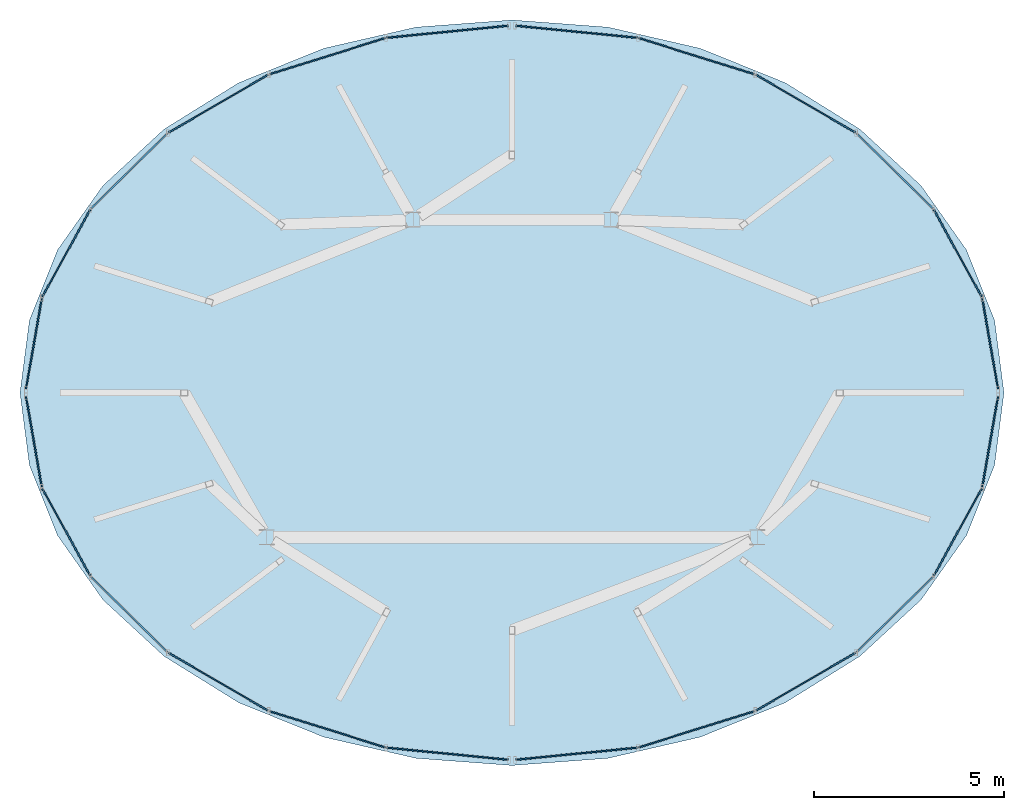
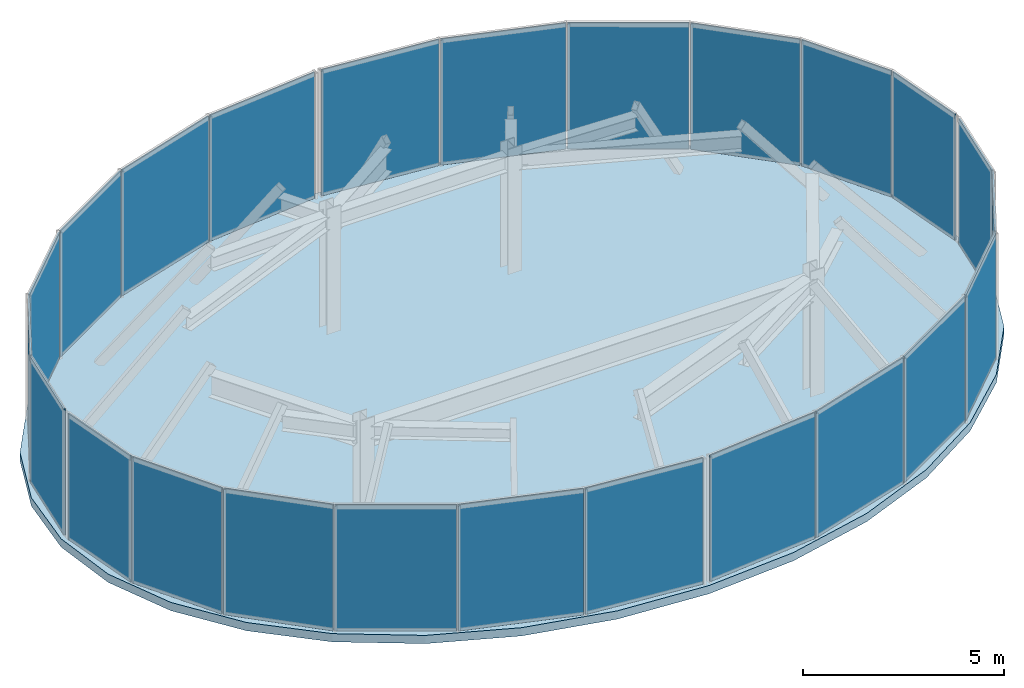
# One storey, part 10 of 10: 24 plates, 1 slab, 4 elements without a shape of their own.
"""IFC4 building model written with IfcOpenShell, lengths in metres."""

from ifc_helpers import new_model, si_unit, direction, frame, origin, origin_2d, place, context, subcontext, project, spatial, polyline, rectangle, outline, extrude, material, layer, layer_set, type_object, element, aggregate, save


model = new_model("IFC4")

# Units and contexts
model_context = context("Model", 3, precision=1e-05, world=origin(), true_north=direction((0.0, 1.0)))
body_context = subcontext(model_context, "Body", "Model", "MODEL_VIEW")
ifc_project = project(units=[si_unit("LENGTHUNIT", "METRE"), si_unit("AREAUNIT", "SQUARE_METRE"), si_unit("VOLUMEUNIT", "CUBIC_METRE"), si_unit("PLANEANGLEUNIT", "RADIAN"), si_unit("MASSUNIT", "GRAM", prefix="KILO")], contexts=[model_context])

# Site, building, storey
site_placement = place(None, origin())
site = spatial("IfcSite", under=ifc_project, at=site_placement, CompositionType="ELEMENT")
building_placement = place(site_placement, origin())
building = spatial("IfcBuilding", under=site, at=building_placement, Name="Vorneva Point Tower", CompositionType="ELEMENT")
storey_placement = place(building_placement, frame((0.0, 0.0, 306.800048828125)))
storey = spatial("IfcBuildingStorey", under=building, at=storey_placement, Name="C04", CompositionType="ELEMENT", Elevation=306.800048828125)

# Curtain wall, plates
ifc_material_1 = material(Name="Pale anodised aluminium", Category="aluminium")
curtain_wall_type = type_object("IfcCurtainWallType", Name="CW-CRN-SYS", PredefinedType="NOTDEFINED", material=ifc_material_1)
curtain_wall_1_placement = place(storey_placement, origin())
curtain_wall_1 = element("IfcCurtainWall", 1, at=curtain_wall_1_placement, inside=storey, type_object=curtain_wall_type, Name="C04 Unitised Curtain Wall CW-C04-Q1", PredefinedType="NOTDEFINED")
ifc_material_2 = material(Name="Triple-laminated clear crown glass", Category="glass")
ifc_layer_1 = layer(ifc_material_2, 0.0419921875)
ifc_layer_set_1 = layer_set([ifc_layer_1], Name="Triple-laminated clear crown glass")
plate_type = type_object("IfcPlateType", Name="CW-PNL-CRN", PredefinedType="CURTAIN_PANEL", material=ifc_layer_set_1)
plate_1_placement = place(storey_placement, frame((50.5712890625, 27.28955078125, -0.02001953125), z_axis=(0.0, 0.0, 1.0), x_axis=(-0.171808745188, 0.985130323905, 0.0)))
plate_1 = element("IfcPlate", 2, at=plate_1_placement, type_object=plate_type, Name="CW-C04-Q1 Glazed Panel 01", PredefinedType="CURTAIN_PANEL", context=body_context, shape_type="SweptSolid", body=[
    extrude(rectangle(XDim=2.407958984375, YDim=0.0419921875, at=origin_2d()), origin(), (0.0, 0.0, 1.0), 3.840087890625),
])
plate_2_placement = place(storey_placement, frame((49.720703125, 29.6650390625, -0.02001953125), z_axis=(0.0, 0.0, 1.0), x_axis=(-0.481019372163, 0.876709965498, 0.0)))
plate_2 = element("IfcPlate", 3, at=plate_2_placement, type_object=plate_type, Name="CW-C04-Q1 Glazed Panel 02", PredefinedType="CURTAIN_PANEL", context=body_context, shape_type="SweptSolid", body=[
    extrude(rectangle(XDim=2.607421875, YDim=0.0419921875, at=origin_2d()), origin(), (0.0, 0.0, 1.0), 3.840087890625),
])
plate_3_placement = place(storey_placement, frame((48.06494140625, 31.830322265625, -0.02001953125), z_axis=(0.0, 0.0, 1.0), x_axis=(-0.712846636118, 0.701319950789, 0.0)))
plate_3 = element("IfcPlate", 4, at=plate_3_placement, type_object=plate_type, Name="CW-C04-Q1 Glazed Panel 03", PredefinedType="CURTAIN_PANEL", context=body_context, shape_type="SweptSolid", body=[
    extrude(rectangle(XDim=2.802734375, YDim=0.0419921875, at=origin_2d()), origin(), (0.0, 0.0, 1.0), 3.840087890625),
])
plate_4_placement = place(storey_placement, frame((45.72314453125, 33.598388671875, -0.02001953125), z_axis=(0.0, 0.0, 1.0), x_axis=(-0.865308932118, 0.501238917081, 0.0)))
plate_4 = element("IfcPlate", 5, at=plate_4_placement, type_object=plate_type, Name="CW-C04-Q1 Glazed Panel 04", PredefinedType="CURTAIN_PANEL", context=body_context, shape_type="SweptSolid", body=[
    extrude(rectangle(XDim=3.0126953125, YDim=0.0419921875, at=origin_2d()), origin(), (0.0, 0.0, 1.0), 3.840087890625),
])
plate_5_placement = place(storey_placement, frame((42.85498046875, 34.848388671875, -0.02001953125), z_axis=(0.0, 0.0, 1.0), x_axis=(-0.954428033016, 0.298441166386, 0.0)))
plate_5 = element("IfcPlate", 6, at=plate_5_placement, type_object=plate_type, Name="CW-C04-Q1 Glazed Panel 05", PredefinedType="CURTAIN_PANEL", context=body_context, shape_type="SweptSolid", body=[
    extrude(rectangle(XDim=3.18359375, YDim=0.0419921875, at=origin_2d()), origin(), (0.0, 0.0, 1.0), 3.840087890625),
])
plate_6_placement = place(storey_placement, frame((39.69580078125, 35.491455078125, -0.02001953125), z_axis=(0.0, 0.0, 1.0), x_axis=(-0.99509535929, 0.098920300846, 0.0)))
plate_6 = element("IfcPlate", 7, at=plate_6_placement, type_object=plate_type, Name="CW-C04-Q1 Glazed Panel 06", PredefinedType="CURTAIN_PANEL", context=body_context, shape_type="SweptSolid", body=[
    extrude(rectangle(XDim=3.197998046875, YDim=0.0419921875, at=origin_2d()), origin(), (0.0, 0.0, 1.0), 3.840087890625),
])
aggregate(curtain_wall_1, [plate_1, plate_2, plate_3, plate_4, plate_5, plate_6])

curtain_wall_2_placement = place(storey_placement, origin())
curtain_wall_2 = element("IfcCurtainWall", 8, at=curtain_wall_2_placement, inside=storey, type_object=curtain_wall_type, Name="C04 Unitised Curtain Wall CW-C04-Q2", PredefinedType="NOTDEFINED")
plate_7_placement = place(storey_placement, frame((36.30419921875, 35.491455078125, -0.02001953125), z_axis=(0.0, 0.0, 1.0), x_axis=(-0.99509535929, -0.098920300846, 0.0)))
plate_7 = element("IfcPlate", 9, at=plate_7_placement, type_object=plate_type, Name="CW-C04-Q2 Glazed Panel 01", PredefinedType="CURTAIN_PANEL", context=body_context, shape_type="SweptSolid", body=[
    extrude(rectangle(XDim=3.197998046875, YDim=0.0419921875, at=origin_2d()), origin(), (0.0, 0.0, 1.0), 3.840087890625),
])
plate_8_placement = place(storey_placement, frame((33.14501953125, 34.848388671875, -0.02001953125), z_axis=(0.0, 0.0, 1.0), x_axis=(-0.954428033016, -0.298441166386, 0.0)))
plate_8 = element("IfcPlate", 10, at=plate_8_placement, type_object=plate_type, Name="CW-C04-Q2 Glazed Panel 02", PredefinedType="CURTAIN_PANEL", context=body_context, shape_type="SweptSolid", body=[
    extrude(rectangle(XDim=3.18359375, YDim=0.0419921875, at=origin_2d()), origin(), (0.0, 0.0, 1.0), 3.840087890625),
])
plate_9_placement = place(storey_placement, frame((30.27685546875, 33.598388671875, -0.02001953125), z_axis=(0.0, 0.0, 1.0), x_axis=(-0.865308932118, -0.501238917081, 0.0)))
plate_9 = element("IfcPlate", 11, at=plate_9_placement, type_object=plate_type, Name="CW-C04-Q2 Glazed Panel 03", PredefinedType="CURTAIN_PANEL", context=body_context, shape_type="SweptSolid", body=[
    extrude(rectangle(XDim=3.0126953125, YDim=0.0419921875, at=origin_2d()), origin(), (0.0, 0.0, 1.0), 3.840087890625),
])
plate_10_placement = place(storey_placement, frame((27.93505859375, 31.830322265625, -0.02001953125), z_axis=(0.0, 0.0, 1.0), x_axis=(-0.712846636118, -0.701319950789, 0.0)))
plate_10 = element("IfcPlate", 12, at=plate_10_placement, type_object=plate_type, Name="CW-C04-Q2 Glazed Panel 04", PredefinedType="CURTAIN_PANEL", context=body_context, shape_type="SweptSolid", body=[
    extrude(rectangle(XDim=2.802734375, YDim=0.0419921875, at=origin_2d()), origin(), (0.0, 0.0, 1.0), 3.840087890625),
])
plate_11_placement = place(storey_placement, frame((26.279296875, 29.6650390625, -0.02001953125), z_axis=(0.0, 0.0, 1.0), x_axis=(-0.481019372163, -0.876709965498, 0.0)))
plate_11 = element("IfcPlate", 13, at=plate_11_placement, type_object=plate_type, Name="CW-C04-Q2 Glazed Panel 05", PredefinedType="CURTAIN_PANEL", context=body_context, shape_type="SweptSolid", body=[
    extrude(rectangle(XDim=2.607421875, YDim=0.0419921875, at=origin_2d()), origin(), (0.0, 0.0, 1.0), 3.840087890625),
])
plate_12_placement = place(storey_placement, frame((25.428955078125, 27.28955078125, -0.02001953125), z_axis=(0.0, 0.0, 1.0), x_axis=(-0.171808745188, -0.985130323905, 0.0)))
plate_12 = element("IfcPlate", 14, at=plate_12_placement, type_object=plate_type, Name="CW-C04-Q2 Glazed Panel 06", PredefinedType="CURTAIN_PANEL", context=body_context, shape_type="SweptSolid", body=[
    extrude(rectangle(XDim=2.407958984375, YDim=0.0419921875, at=origin_2d()), origin(), (0.0, 0.0, 1.0), 3.840087890625),
])
aggregate(curtain_wall_2, [plate_7, plate_8, plate_9, plate_10, plate_11, plate_12])

curtain_wall_3_placement = place(storey_placement, origin())
curtain_wall_3 = element("IfcCurtainWall", 15, at=curtain_wall_3_placement, inside=storey, type_object=curtain_wall_type, Name="C04 Unitised Curtain Wall CW-C04-Q3", PredefinedType="NOTDEFINED")
plate_13_placement = place(storey_placement, frame((25.428955078125, 24.71044921875, -0.02001953125), z_axis=(0.0, 0.0, 1.0), x_axis=(0.171808745188, -0.985130323905, 0.0)))
plate_13 = element("IfcPlate", 16, at=plate_13_placement, type_object=plate_type, Name="CW-C04-Q3 Glazed Panel 01", PredefinedType="CURTAIN_PANEL", context=body_context, shape_type="SweptSolid", body=[
    extrude(rectangle(XDim=2.407958984375, YDim=0.0419921875, at=origin_2d()), origin(), (0.0, 0.0, 1.0), 3.840087890625),
])
plate_14_placement = place(storey_placement, frame((26.279296875, 22.3349609375, -0.02001953125), z_axis=(0.0, 0.0, 1.0), x_axis=(0.481019372163, -0.876709965498, 0.0)))
plate_14 = element("IfcPlate", 17, at=plate_14_placement, type_object=plate_type, Name="CW-C04-Q3 Glazed Panel 02", PredefinedType="CURTAIN_PANEL", context=body_context, shape_type="SweptSolid", body=[
    extrude(rectangle(XDim=2.607421875, YDim=0.0419921875, at=origin_2d()), origin(), (0.0, 0.0, 1.0), 3.840087890625),
])
plate_15_placement = place(storey_placement, frame((27.93505859375, 20.169677734375, -0.02001953125), z_axis=(0.0, 0.0, 1.0), x_axis=(0.712846636118, -0.701319950789, 0.0)))
plate_15 = element("IfcPlate", 18, at=plate_15_placement, type_object=plate_type, Name="CW-C04-Q3 Glazed Panel 03", PredefinedType="CURTAIN_PANEL", context=body_context, shape_type="SweptSolid", body=[
    extrude(rectangle(XDim=2.802734375, YDim=0.0419921875, at=origin_2d()), origin(), (0.0, 0.0, 1.0), 3.840087890625),
])
plate_16_placement = place(storey_placement, frame((30.27685546875, 18.401611328125, -0.02001953125), z_axis=(0.0, 0.0, 1.0), x_axis=(0.865308932118, -0.501238917081, 0.0)))
plate_16 = element("IfcPlate", 19, at=plate_16_placement, type_object=plate_type, Name="CW-C04-Q3 Glazed Panel 04", PredefinedType="CURTAIN_PANEL", context=body_context, shape_type="SweptSolid", body=[
    extrude(rectangle(XDim=3.0126953125, YDim=0.0419921875, at=origin_2d()), origin(), (0.0, 0.0, 1.0), 3.840087890625),
])
plate_17_placement = place(storey_placement, frame((33.14501953125, 17.151611328125, -0.02001953125), z_axis=(0.0, 0.0, 1.0), x_axis=(0.954428033016, -0.298441166386, 0.0)))
plate_17 = element("IfcPlate", 20, at=plate_17_placement, type_object=plate_type, Name="CW-C04-Q3 Glazed Panel 05", PredefinedType="CURTAIN_PANEL", context=body_context, shape_type="SweptSolid", body=[
    extrude(rectangle(XDim=3.18359375, YDim=0.0419921875, at=origin_2d()), origin(), (0.0, 0.0, 1.0), 3.840087890625),
])
plate_18_placement = place(storey_placement, frame((36.30419921875, 16.508544921875, -0.02001953125), z_axis=(0.0, 0.0, 1.0), x_axis=(0.99509535929, -0.098920300846, 0.0)))
plate_18 = element("IfcPlate", 21, at=plate_18_placement, type_object=plate_type, Name="CW-C04-Q3 Glazed Panel 06", PredefinedType="CURTAIN_PANEL", context=body_context, shape_type="SweptSolid", body=[
    extrude(rectangle(XDim=3.197998046875, YDim=0.0419921875, at=origin_2d()), origin(), (0.0, 0.0, 1.0), 3.840087890625),
])
aggregate(curtain_wall_3, [plate_13, plate_14, plate_15, plate_16, plate_17, plate_18])

curtain_wall_4_placement = place(storey_placement, origin())
curtain_wall_4 = element("IfcCurtainWall", 22, at=curtain_wall_4_placement, inside=storey, type_object=curtain_wall_type, Name="C04 Unitised Curtain Wall CW-C04-Q4", PredefinedType="NOTDEFINED")
plate_19_placement = place(storey_placement, frame((39.69580078125, 16.508544921875, -0.02001953125), z_axis=(0.0, 0.0, 1.0), x_axis=(0.99509535929, 0.098920300846, 0.0)))
plate_19 = element("IfcPlate", 23, at=plate_19_placement, type_object=plate_type, Name="CW-C04-Q4 Glazed Panel 01", PredefinedType="CURTAIN_PANEL", context=body_context, shape_type="SweptSolid", body=[
    extrude(rectangle(XDim=3.197998046875, YDim=0.0419921875, at=origin_2d()), origin(), (0.0, 0.0, 1.0), 3.840087890625),
])
plate_20_placement = place(storey_placement, frame((42.85498046875, 17.151611328125, -0.02001953125), z_axis=(0.0, 0.0, 1.0), x_axis=(0.954428033016, 0.298441166386, 0.0)))
plate_20 = element("IfcPlate", 24, at=plate_20_placement, type_object=plate_type, Name="CW-C04-Q4 Glazed Panel 02", PredefinedType="CURTAIN_PANEL", context=body_context, shape_type="SweptSolid", body=[
    extrude(rectangle(XDim=3.18359375, YDim=0.0419921875, at=origin_2d()), origin(), (0.0, 0.0, 1.0), 3.840087890625),
])
plate_21_placement = place(storey_placement, frame((45.72314453125, 18.401611328125, -0.02001953125), z_axis=(0.0, 0.0, 1.0), x_axis=(0.865308932118, 0.501238917081, 0.0)))
plate_21 = element("IfcPlate", 25, at=plate_21_placement, type_object=plate_type, Name="CW-C04-Q4 Glazed Panel 03", PredefinedType="CURTAIN_PANEL", context=body_context, shape_type="SweptSolid", body=[
    extrude(rectangle(XDim=3.0126953125, YDim=0.0419921875, at=origin_2d()), origin(), (0.0, 0.0, 1.0), 3.840087890625),
])
plate_22_placement = place(storey_placement, frame((48.06494140625, 20.169677734375, -0.02001953125), z_axis=(0.0, 0.0, 1.0), x_axis=(0.712846636118, 0.701319950789, 0.0)))
plate_22 = element("IfcPlate", 26, at=plate_22_placement, type_object=plate_type, Name="CW-C04-Q4 Glazed Panel 04", PredefinedType="CURTAIN_PANEL", context=body_context, shape_type="SweptSolid", body=[
    extrude(rectangle(XDim=2.802734375, YDim=0.0419921875, at=origin_2d()), origin(), (0.0, 0.0, 1.0), 3.840087890625),
])
plate_23_placement = place(storey_placement, frame((49.720703125, 22.3349609375, -0.02001953125), z_axis=(0.0, 0.0, 1.0), x_axis=(0.481019372163, 0.876709965498, 0.0)))
plate_23 = element("IfcPlate", 27, at=plate_23_placement, type_object=plate_type, Name="CW-C04-Q4 Glazed Panel 05", PredefinedType="CURTAIN_PANEL", context=body_context, shape_type="SweptSolid", body=[
    extrude(rectangle(XDim=2.607421875, YDim=0.0419921875, at=origin_2d()), origin(), (0.0, 0.0, 1.0), 3.840087890625),
])
plate_24_placement = place(storey_placement, frame((50.5712890625, 24.71044921875, -0.02001953125), z_axis=(0.0, 0.0, 1.0), x_axis=(0.171808745188, 0.985130323905, 0.0)))
plate_24 = element("IfcPlate", 28, at=plate_24_placement, type_object=plate_type, Name="CW-C04-Q4 Glazed Panel 06", PredefinedType="CURTAIN_PANEL", context=body_context, shape_type="SweptSolid", body=[
    extrude(rectangle(XDim=2.407958984375, YDim=0.0419921875, at=origin_2d()), origin(), (0.0, 0.0, 1.0), 3.840087890625),
])
aggregate(curtain_wall_4, [plate_19, plate_20, plate_21, plate_22, plate_23, plate_24])

# Slab
ifc_material_3 = material(Name="Concrete B50 (C40/50)", Category="concrete")
ifc_layer_2 = layer(ifc_material_3, 0.25)
ifc_layer_set_2 = layer_set([ifc_layer_2], Name="Concrete B50 (C40/50)")
slab_type = type_object("IfcSlabType", Name="SLB-ROOF-250", PredefinedType="ROOF", material=ifc_layer_set_2)
slab_placement = place(storey_placement, frame((0.0, 0.0, -0.25)))
element("IfcSlab", 29, at=slab_placement, inside=storey, type_object=slab_type, Name="C04 Crown Structural Roof Ring Slab", PredefinedType="ROOF", context=body_context, shape_type="SweptSolid", body=[
    extrude(outline(polyline([(50.93603515625, 26.0), (50.6875, 27.911865234375), (49.951416015625, 29.750244140625), (48.755859375, 31.444580078125), (47.147216796875, 32.9296875), (45.18701171875, 34.1484375), (42.950439453125, 35.053955078125), (40.523681640625, 35.61181640625), (38.0, 35.800048828125), (35.476318359375, 35.61181640625), (33.049560546875, 35.053955078125), (30.81298828125, 34.1484375), (28.852783203125, 32.9296875), (27.244140625, 31.444580078125), (26.048583984375, 29.750244140625), (25.3125, 27.911865234375), (25.06396484375, 26.0), (25.3125, 24.088134765625), (26.048583984375, 22.249755859375), (27.244140625, 20.555419921875), (28.852783203125, 19.0703125), (30.81298828125, 17.8515625), (33.049560546875, 16.946044921875), (35.476318359375, 16.38818359375), (38.0, 16.199951171875), (40.523681640625, 16.38818359375), (42.950439453125, 16.946044921875), (45.18701171875, 17.8515625), (47.147216796875, 19.0703125), (48.755859375, 20.555419921875), (49.951416015625, 22.249755859375), (50.6875, 24.088134765625), (50.93603515625, 26.0)])), origin(), (0.0, 0.0, 1.0), 0.25),
])

save(model, "model.ifc")
